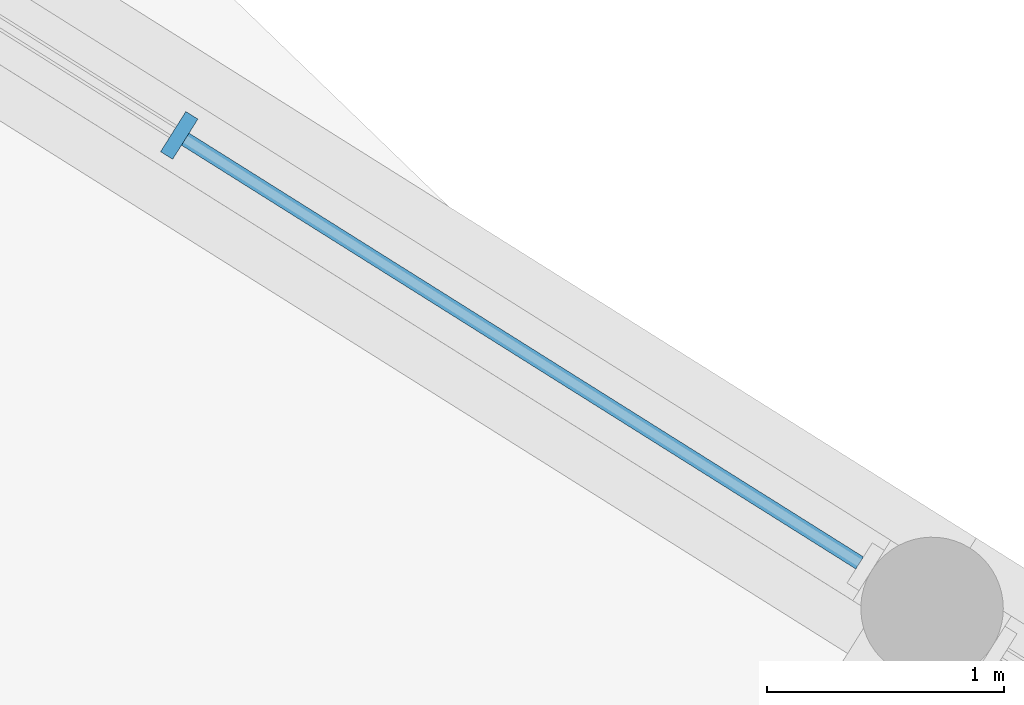
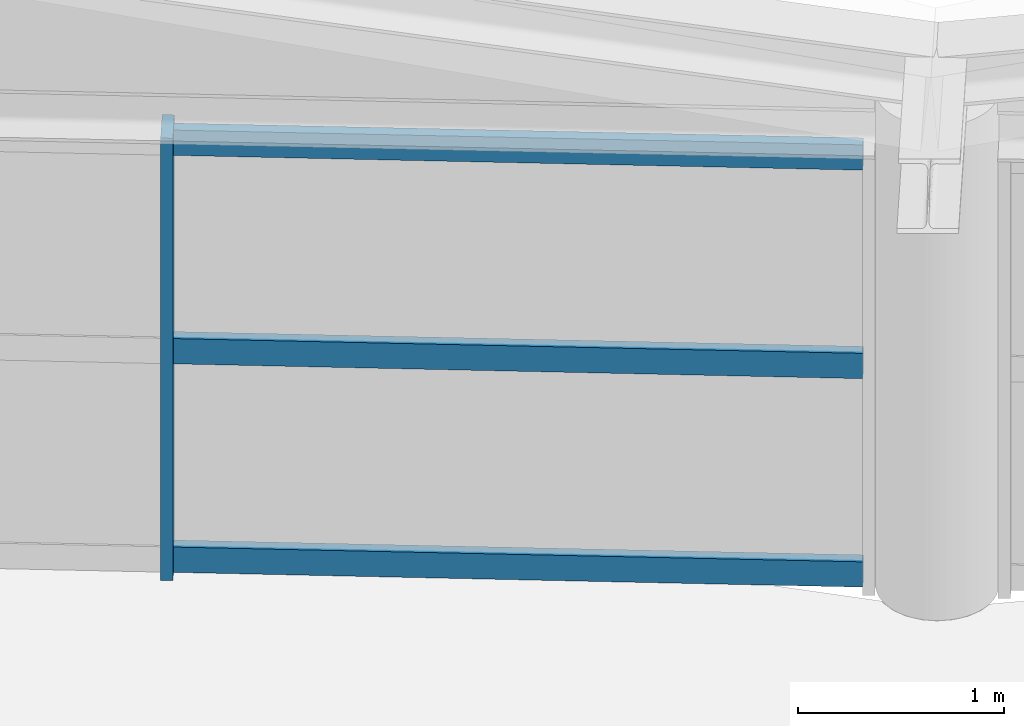
# One storey, part 106 of 271: 4 members, 1 element without a shape of its own.
"""IFC4 building model written with IfcOpenShell, lengths in metres."""

from ifc_helpers import new_model, si_unit, direction, frame, origin, origin_2d, place, context, subcontext, project, spatial, rectangle, extrude, material, layer, layer_set, material_profile, profile_set, type_object, element, aggregate, save


model = new_model("IFC4")

# Units and contexts
model_context = context("Model", 3, precision=1e-05, world=origin(), true_north=direction((0.0, 1.0)))
body_context = subcontext(model_context, "Body", "Model", "MODEL_VIEW")
ifc_project = project(units=[si_unit("LENGTHUNIT", "METRE"), si_unit("AREAUNIT", "SQUARE_METRE"), si_unit("VOLUMEUNIT", "CUBIC_METRE"), si_unit("PLANEANGLEUNIT", "RADIAN"), si_unit("MASSUNIT", "GRAM", prefix="KILO")], contexts=[model_context])

# Site, building, storey
site_placement = place(None, origin())
site = spatial("IfcSite", under=ifc_project, at=site_placement, CompositionType="ELEMENT")
building_placement = place(site_placement, origin())
building = spatial("IfcBuilding", under=site, at=building_placement, Name="Meseta Stadium", CompositionType="ELEMENT")
storey_placement = place(building_placement, frame((0.0, 0.0, 6.5)))
storey = spatial("IfcBuildingStorey", under=building, at=storey_placement, Name="L01", CompositionType="ELEMENT", Elevation=6.5)

# Curtain wall, members
ifc_material_1 = material(Name="Aluminium", Category="aluminium")
ifc_layer = layer(ifc_material_1, 0.199951171875)
ifc_layer_set = layer_set([ifc_layer], Name="Gate hall curtain wall")
curtain_wall_type = type_object("IfcCurtainWallType", Name="Gate hall curtain wall", PredefinedType="NOTDEFINED", material=ifc_layer_set)
curtain_wall_placement = place(storey_placement, origin())
curtain_wall = element("IfcCurtainWall", 1, at=curtain_wall_placement, inside=storey, type_object=curtain_wall_type, Name="Gate 2 hall glazing", PredefinedType="NOTDEFINED")
ifc_material_2 = material(Name="Aluminium", Category="aluminium")
ifc_material_profile_1 = material_profile(ifc_material_2, rectangle(XDim=0.199951171875, YDim=0.06005859375, at=origin_2d()), Name="CW 200x60")
ifc_profile_set_1 = profile_set([ifc_material_profile_1], Name="Aluminium")
member_type_1 = type_object("IfcMemberType", Name="Ring CW mullion 60x200", PredefinedType="MULLION", material=ifc_profile_set_1)
member_1_placement = place(storey_placement, frame((76.240966796875, 105.16650390625, 0.0), z_axis=(0.0, 0.0, 1.0), x_axis=(0.532027655072, 0.846726977389, 0.0)))
member_1 = element("IfcMember", 2, at=member_1_placement, type_object=member_type_1, Name="CWG1 mullion 3", PredefinedType="MULLION", context=body_context, shape_type="SweptSolid", body=[
    extrude(rectangle(XDim=0.199951171875, YDim=0.06005859375, at=origin_2d()), origin(), (0.0, 0.0, 1.0), 2.62451171875),
])
ifc_material_3 = material(Name="Aluminium", Category="aluminium")
ifc_material_profile_2 = material_profile(ifc_material_3, rectangle(XDim=0.06005859375, YDim=0.14990234375, at=origin_2d()), Name="CW 60x150")
ifc_profile_set_2 = profile_set([ifc_material_profile_2], Name="Aluminium")
member_type_2 = type_object("IfcMemberType", Name="Ring CW transom 60x150", PredefinedType="USERDEFINED", material=ifc_profile_set_2)
member_2_placement = place(storey_placement, frame((76.266357421875, 105.150634765625, 0.074951171875), z_axis=(0.846695566748, -0.532077642126, 0.0), x_axis=(0.532077642126, 0.846695566748, 0.0)))
member_2 = element("IfcMember", 3, at=member_2_placement, type_object=member_type_2, Name="CWG1 transom 3.1", ObjectType="TRANSOM", PredefinedType="USERDEFINED", context=body_context, shape_type="SweptSolid", body=[
    extrude(rectangle(XDim=0.06005859375, YDim=0.14990234375, at=origin_2d()), origin(), (0.0, 0.0, 1.0), 3.3544921875),
])
member_3_placement = place(storey_placement, frame((76.266357421875, 105.150634765625, 1.312255859375), z_axis=(0.846695566748, -0.532077642126, 0.0), x_axis=(0.532077642126, 0.846695566748, 0.0)))
member_3 = element("IfcMember", 4, at=member_3_placement, type_object=member_type_2, Name="CWG1 transom 3.2", ObjectType="TRANSOM", PredefinedType="USERDEFINED", context=body_context, shape_type="SweptSolid", body=[
    extrude(rectangle(XDim=0.06005859375, YDim=0.14990234375, at=origin_2d()), origin(), (0.0, 0.0, 1.0), 3.3544921875),
])
member_4_placement = place(storey_placement, frame((76.266357421875, 105.150634765625, 2.549560546875), z_axis=(0.846695566748, -0.532077642126, 0.0), x_axis=(0.532077642126, 0.846695566748, 0.0)))
member_4 = element("IfcMember", 5, at=member_4_placement, type_object=member_type_2, Name="CWG1 transom 3.3", ObjectType="TRANSOM", PredefinedType="USERDEFINED", context=body_context, shape_type="SweptSolid", body=[
    extrude(rectangle(XDim=0.06005859375, YDim=0.14990234375, at=origin_2d()), origin(), (0.0, 0.0, 1.0), 3.3544921875),
])
aggregate(curtain_wall, [member_1, member_2, member_3, member_4])

save(model, "model.ifc")
